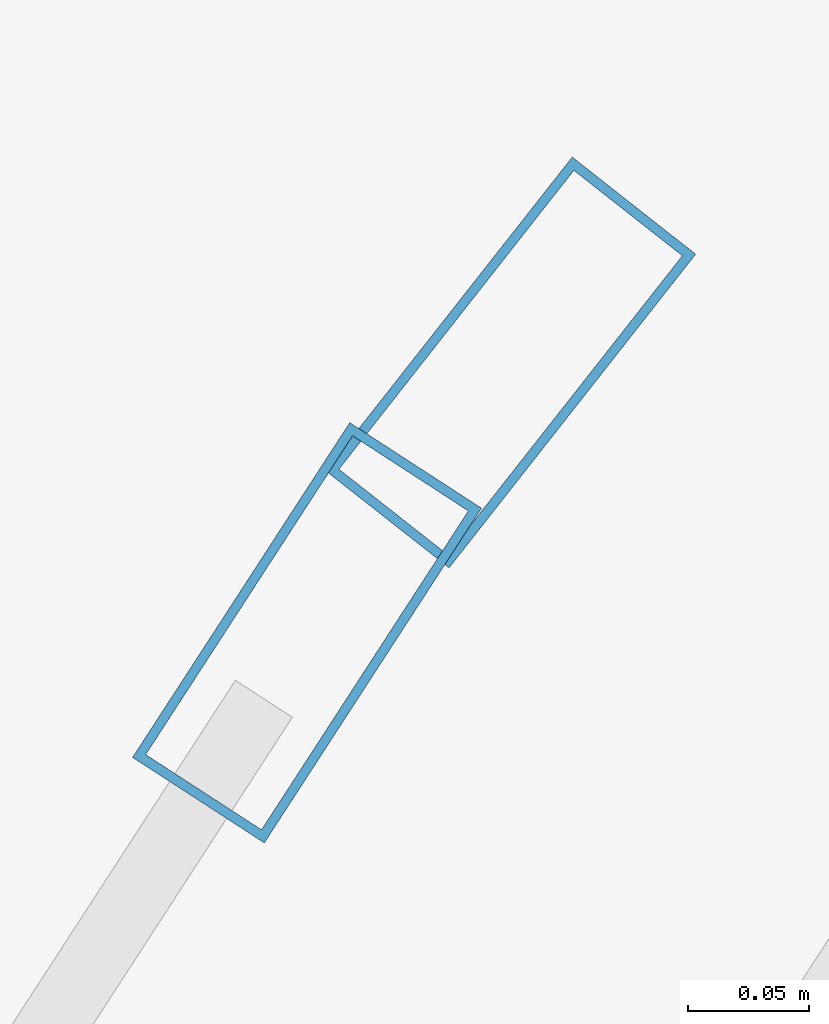
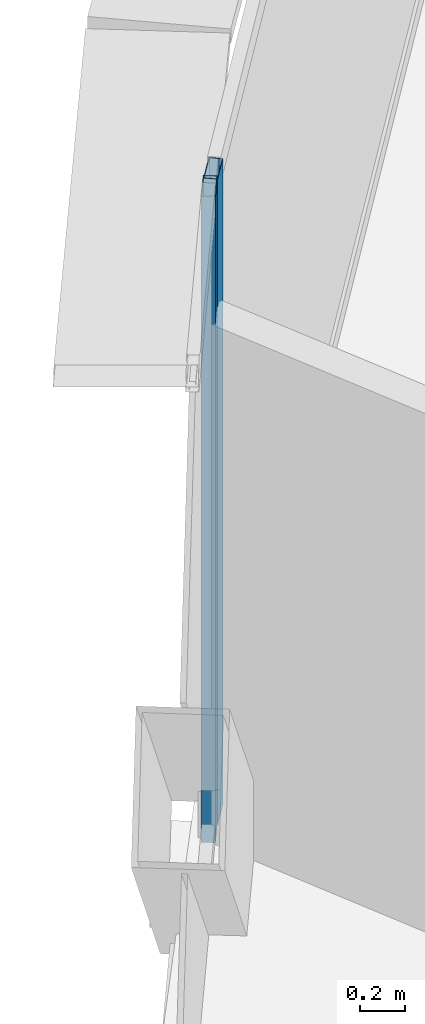
# One storey, part 16 of 38: 2 members, 2 elements without a shape of their own.
"""IFC4 building model written with IfcOpenShell, lengths in metres."""

from ifc_helpers import new_model, si_unit, direction, frame, origin, origin_2d, place, context, subcontext, project, spatial, hollow_rectangle, extrude, source, transform, mapped, material, layer, layer_set, material_profile, profile_set, type_object, element, aggregate, save


model = new_model("IFC4")

# Units and contexts
model_context = context("Model", 3, precision=1e-05, world=origin(), true_north=direction((0.0, 1.0)))
body_context = subcontext(model_context, "Body", "Model", "MODEL_VIEW")
ifc_project = project(units=[si_unit("LENGTHUNIT", "METRE"), si_unit("AREAUNIT", "SQUARE_METRE"), si_unit("VOLUMEUNIT", "CUBIC_METRE"), si_unit("PLANEANGLEUNIT", "RADIAN"), si_unit("MASSUNIT", "GRAM", prefix="KILO"), si_unit("THERMODYNAMICTEMPERATUREUNIT", "KELVIN"), si_unit("POWERUNIT", "WATT")], contexts=[model_context])

# Site, building, storey
site_placement = place(None, origin())
site = spatial("IfcSite", under=ifc_project, at=site_placement, CompositionType="ELEMENT")
building_placement = place(site_placement, origin())
building = spatial("IfcBuilding", under=site, at=building_placement, Name="Yunzhuo Pagoda Commons", CompositionType="ELEMENT")
storey_placement = place(building_placement, frame((0.0, 0.0, 81.179931640625)))
storey = spatial("IfcBuildingStorey", under=building, at=storey_placement, Name="L20", CompositionType="ELEMENT", Elevation=81.179931640625)

# Curtain wall, member
ifc_material = material(Name="Anodized aluminium 6063-T6", Category="aluminium")
ifc_layer = layer(ifc_material, 0.1650390625)
ifc_layer_set = layer_set([ifc_layer], Name="Anodized aluminium 6063-T6")
curtain_wall_type = type_object("IfcCurtainWallType", Name="CW-LOW Low-Zone Ribbon Curtain Wall", PredefinedType="NOTDEFINED", material=ifc_layer_set)
curtain_wall_1_placement = place(storey_placement, origin())
curtain_wall_1 = element("IfcCurtainWall", 1, at=curtain_wall_1_placement, inside=storey, type_object=curtain_wall_type, Name="L20 curtain wall CW-L20-F3B2", PredefinedType="NOTDEFINED")
ifc_material_profile = material_profile(ifc_material, hollow_rectangle(XDim=0.06494140625, YDim=0.1650390625, WallThickness=0.00390625, at=origin_2d()), Name="Anodized aluminium 6063-T6")
ifc_profile_set = profile_set([ifc_material_profile], Name="Anodized aluminium 6063-T6")
member_type = type_object("IfcMemberType", Name="CW-LOW-M Mullion RHS 165x65x4", PredefinedType="MULLION", material=ifc_profile_set)
shared_shape = source(origin(), body_context, "Body", "SweptSolid", [
    extrude(hollow_rectangle(XDim=0.06494140625, YDim=0.1650390625, WallThickness=0.00390625, at=origin_2d()), origin(), (0.0, 0.0, 1.0), 3.5400390625),
])
member_1_placement = place(storey_placement, frame((31.078369140625, 71.639892578125, 0.0), z_axis=(0.0, 0.0, 1.0), x_axis=(0.838906636672, -0.544275348466, 0.0)))
member_1 = element("IfcMember", 2, at=member_1_placement, type_object=member_type, Name="CW mullion 1", PredefinedType="MULLION", context=body_context, shape_type="MappedRepresentation", body=[
    mapped(shared_shape, transform((0.0, 0.0, 0.0), scale=1.0)),
])
aggregate(curtain_wall_1, [member_1])

curtain_wall_2_placement = place(storey_placement, origin())
curtain_wall_2 = element("IfcCurtainWall", 3, at=curtain_wall_2_placement, inside=storey, type_object=curtain_wall_type, Name="L20 curtain wall CW-L20-F3B1", PredefinedType="NOTDEFINED")
member_2_placement = place(storey_placement, frame((31.16259765625, 71.751708984375, 0.0), z_axis=(0.0, 0.0, 1.0), x_axis=(0.786130948635, -0.618059974111, 0.0)))
member_2 = element("IfcMember", 4, at=member_2_placement, type_object=member_type, Name="CW mullion 2", PredefinedType="MULLION", context=body_context, shape_type="MappedRepresentation", body=[
    mapped(shared_shape, transform((0.0, 0.0, 0.0), scale=1.0)),
])
aggregate(curtain_wall_2, [member_2])

save(model, "model.ifc")
